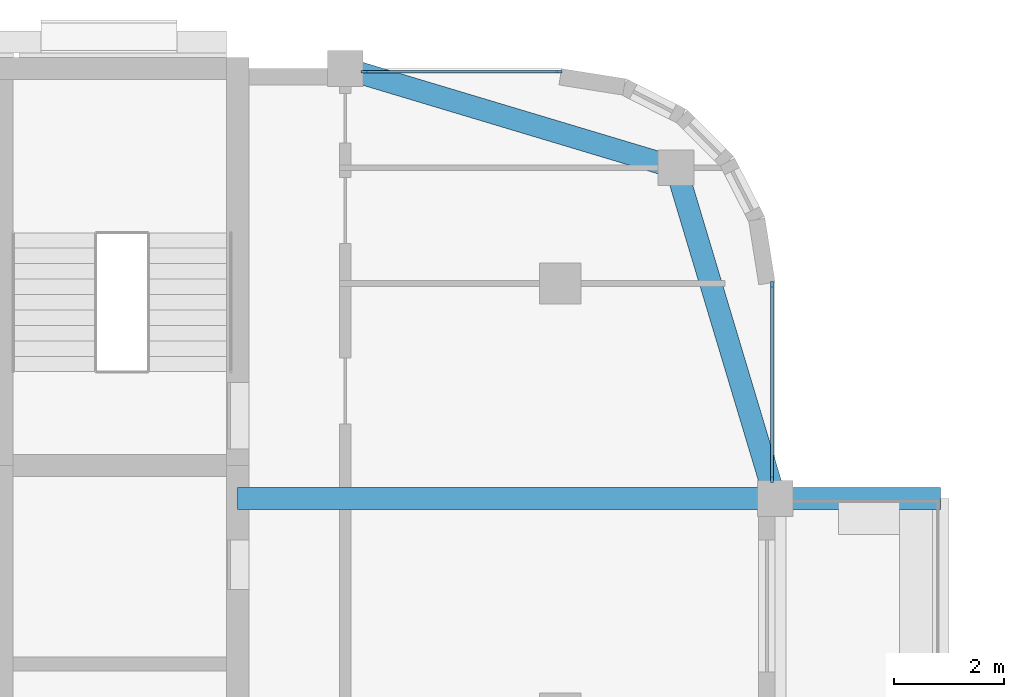
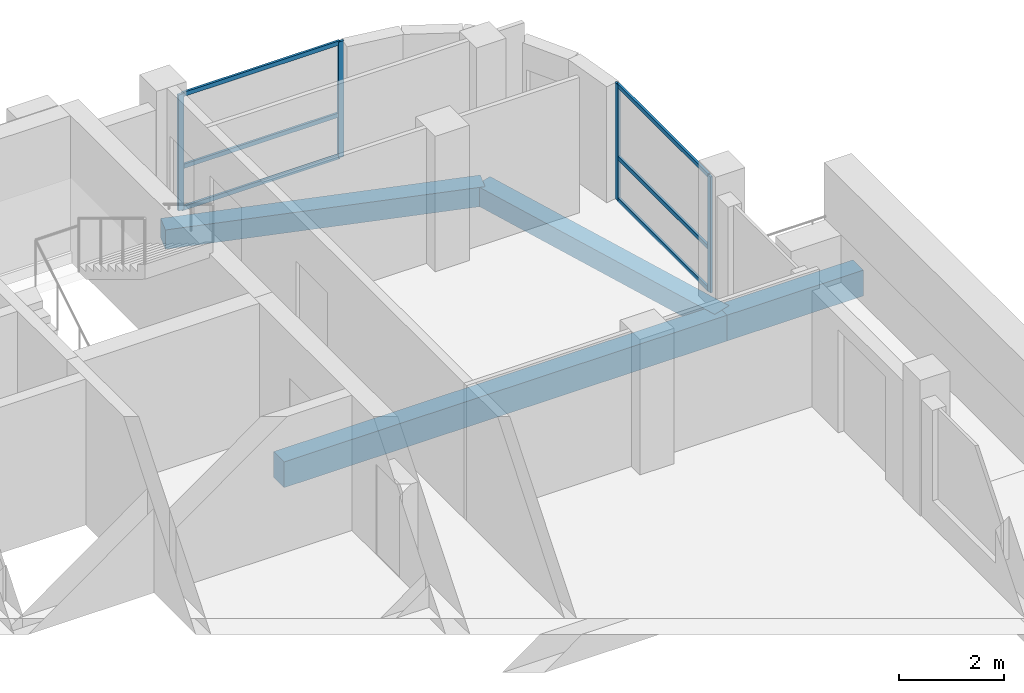
# One storey, part 8 of 19: 10 members, 4 beams, 2 elements without a shape of their own.
"""IFC4 building model written with IfcOpenShell, lengths in metres."""

import ifcopenshell
import ifcopenshell.guid

model = None  # the IFC model being written
_history = None  # IfcOwnerHistory: only IFC2X3 demands one
_inside = {}  # id of a spatial element -> (the spatial element, [elements in it])
_under = {}  # id of a project, library or spatial element -> (it, [spatial elements below it])
_declared = {}  # id of a project -> (the project, [libraries it declares])
_typed = {}  # id of a type object -> (the type object, [elements of that type])
_made_of = {}  # id of a material, layer set ... -> (it, [elements and type objects made of it])


def new_model(schema):
    """Start an empty IFC model of exactly this schema.

    Asked for "IFC4X3", IfcOpenShell would pick the latest addendum, in which some entities
    have other attributes; the version numbers below select the first issue.
    IFC2X3 requires an IfcOwnerHistory on every rooted entity: one is made here for all.
    """
    global model, _history
    if schema == "IFC4X3":
        model = ifcopenshell.file(schema_version=(4, 3, 0, 0))
    else:
        model = ifcopenshell.file(schema=schema)
    _inside.clear()
    _under.clear()
    _declared.clear()
    _typed.clear()
    _made_of.clear()
    _history = None
    if model.schema == "IFC2X3":
        org = make("IfcOrganization", Name="unknown")
        user = make(
            "IfcPersonAndOrganization",
            ThePerson=make("IfcPerson", FamilyName="unknown"),
            TheOrganization=org,
        )
        app = make(
            "IfcApplication",
            ApplicationDeveloper=org,
            Version="unknown",
            ApplicationFullName="unknown",
            ApplicationIdentifier="unknown",
        )
        _history = make(
            "IfcOwnerHistory",
            OwningUser=user,
            OwningApplication=app,
            ChangeAction="ADDED",
            CreationDate=0,
        )
    return model


def make(cls, **values):
    """One entity of the class cls with the attributes given. An attribute that is None is left unset."""
    return model.create_entity(
        cls, **{name: value for name, value in values.items() if value is not None}
    )


def rooted(cls, **values):
    """An entity with a GlobalId (a new one), such as an element, a storey or a relation."""
    return make(cls, GlobalId=ifcopenshell.guid.new(), OwnerHistory=_history, **values)


def si_unit(unit_type, name, prefix=None):
    """IfcSIUnit, for example si_unit("LENGTHUNIT", "METRE", prefix="MILLI")."""
    return make("IfcSIUnit", UnitType=unit_type, Prefix=prefix, Name=name)


def assignment(units):
    """IfcUnitAssignment: the units of a project."""
    return None if units is None else make("IfcUnitAssignment", Units=units)


def point(xyz):
    """IfcCartesianPoint."""
    return None if xyz is None else make("IfcCartesianPoint", Coordinates=xyz)


def direction(xyz):
    """IfcDirection."""
    return None if xyz is None else make("IfcDirection", DirectionRatios=xyz)


def frame(location, z_axis=None, x_axis=None):
    """IfcAxis2Placement3D, a coordinate frame: its origin and axes. An axis left out is left unset."""
    return make(
        "IfcAxis2Placement3D",
        Location=point(location),
        Axis=direction(z_axis),
        RefDirection=direction(x_axis),
    )


def frame_2d(location, x_axis=None):
    """IfcAxis2Placement2D, a coordinate frame in the plane: its origin and x axis."""
    return make(
        "IfcAxis2Placement2D", Location=point(location), RefDirection=direction(x_axis)
    )


def origin():
    """The frame at (0, 0, 0) with its axes left unset."""
    return frame((0.0, 0.0, 0.0))


def origin_2d():
    """The frame at (0, 0) in the plane with its x axis left unset."""
    return frame_2d((0.0, 0.0))


def place(relative_to, where):
    """IfcLocalPlacement: puts the frame where relative to a parent placement (None: the world)."""
    return make(
        "IfcLocalPlacement", PlacementRelTo=relative_to, RelativePlacement=where
    )


def context(
    kind, dimensions, precision=None, world=None, true_north=None, identifier=None
):
    """IfcGeometricRepresentationContext, for example the 3D "Model" context."""
    return make(
        "IfcGeometricRepresentationContext",
        ContextIdentifier=identifier,
        ContextType=kind,
        CoordinateSpaceDimension=dimensions,
        Precision=precision,
        WorldCoordinateSystem=world,
        TrueNorth=true_north,
    )


def subcontext(parent, identifier, kind, view, scale=None):
    """IfcGeometricRepresentationSubContext, for example "Body" below "Model"."""
    return make(
        "IfcGeometricRepresentationSubContext",
        ContextIdentifier=identifier,
        ContextType=kind,
        ParentContext=parent,
        TargetScale=scale,
        TargetView=view,
    )


def project(units=None, contexts=None):
    """IfcProject with its units and contexts."""
    return rooted(
        "IfcProject",
        Name="project",
        RepresentationContexts=contexts,
        UnitsInContext=assignment(units),
    )


def spatial(cls, under=None, at=None, **own):
    """A site, building, storey or space (cls), placed at a placement, below another one or the project."""
    s = rooted(cls, ObjectPlacement=at, **own)
    if under is not None:
        _under.setdefault(under.id(), (under, []))[1].append(s)
    return s


def profile(cls, at=None, kind="AREA", **sizes):
    """A parametric profile (cls). Its sizes go by their IFC names, for example OverallWidth=200.0."""
    return make(cls, ProfileType=kind, Position=at, **sizes)


def rectangle(**sizes):
    """IfcRectangleProfileDef."""
    return profile("IfcRectangleProfileDef", **sizes)


def extrude(swept, where, along, depth):
    """IfcExtrudedAreaSolid: the profile swept, set in the frame where, extruded along a direction by depth."""
    return make(
        "IfcExtrudedAreaSolid",
        SweptArea=swept,
        Position=where,
        ExtrudedDirection=direction(along),
        Depth=depth,
    )


def shape(context_of_items, identifier, shape_type, items):
    """IfcShapeRepresentation: the items that make up one representation, for example the "Body"."""
    return make(
        "IfcShapeRepresentation",
        ContextOfItems=context_of_items,
        RepresentationIdentifier=identifier,
        RepresentationType=shape_type,
        Items=items,
    )


def material(Name=None, Category=None):
    """IfcMaterial."""
    return make("IfcMaterial", Name=Name, Category=Category)


def material_profile(
    of_material, cross_section, Name=None, Category=None, Priority=None
):
    """IfcMaterialProfile: a cross section and its material."""
    return make(
        "IfcMaterialProfile",
        Name=Name,
        Material=of_material,
        Profile=cross_section,
        Priority=Priority,
        Category=Category,
    )


def profile_set(profiles, Name=None, composite=None):
    """IfcMaterialProfileSet."""
    return make(
        "IfcMaterialProfileSet",
        Name=Name,
        MaterialProfiles=profiles,
        CompositeProfile=composite,
    )


def made_of(thing, what):
    """Note that an element or type object is made of a material, layer set ...; save() writes the relation."""
    if what is not None:
        _made_of.setdefault(what.id(), (what, []))[1].append(thing)
    return thing


def type_object(cls, material=None, **own):
    """A type object (cls), such as IfcWallType, which elements share."""
    return made_of(rooted(cls, **own), material)


def element(
    cls,
    number,
    at=None,
    inside=None,
    cuts=None,
    type_object=None,
    material=None,
    context=None,
    identifier="Body",
    shape_type=None,
    held_by="IfcProductDefinitionShape",
    body=None,
    shapes=None,
    **own,
):
    """One element of the class cls, such as IfcWall. Its Tag is "e" and its number.

    at: its placement. inside: the storey or other place that contains it. cuts: it is an
    opening in that element (IfcRelVoidsElement). A single representation is given by context,
    identifier, shape_type and body (its items); several are given by shapes. held_by: the class
    of the entity that holds the representations. save() writes the other relations.
    """
    e = rooted(cls, Tag="e%d" % number, ObjectPlacement=at, **own)
    if body is not None:
        shapes = [shape(context, identifier, shape_type, body)]
    if shapes is not None:
        e.Representation = make(held_by, Representations=shapes)
    if inside is not None:
        _inside.setdefault(inside.id(), (inside, []))[1].append(e)
    if cuts is not None:
        rooted(
            "IfcRelVoidsElement", RelatingBuildingElement=cuts, RelatedOpeningElement=e
        )
    if type_object is not None:
        _typed.setdefault(type_object.id(), (type_object, []))[1].append(e)
    return made_of(e, material)


def aggregate(whole, parts):
    """IfcRelAggregates: a whole, such as a stair, and the parts it consists of."""
    return rooted("IfcRelAggregates", RelatingObject=whole, RelatedObjects=parts)


def save(model, path):
    """Write the relations noted so far, then the file.

    IfcRelAggregates (storeys below a building ...), IfcRelContainedInSpatialStructure (elements
    in a storey), IfcRelDefinesByType, IfcRelAssociatesMaterial and IfcRelDeclares: one each for
    every whole, place, type object, material and project.
    """
    for whole, parts in _under.values():
        aggregate(whole, parts)
    for where, things in _inside.values():
        rooted(
            "IfcRelContainedInSpatialStructure",
            RelatedElements=things,
            RelatingStructure=where,
        )
    for kind, things in _typed.values():
        rooted("IfcRelDefinesByType", RelatedObjects=things, RelatingType=kind)
    for what, things in _made_of.values():
        rooted("IfcRelAssociatesMaterial", RelatedObjects=things, RelatingMaterial=what)
    for by, libraries in _declared.values():
        rooted("IfcRelDeclares", RelatingContext=by, RelatedDefinitions=libraries)
    model.write(path)


model = new_model("IFC4")

# Units and contexts
model_context = context("Model", 3, precision=1e-05, world=origin(), true_north=direction((0.0, 1.0)))
body_context = subcontext(model_context, "Body", "Model", "MODEL_VIEW")
ifc_project = project(units=[si_unit("LENGTHUNIT", "METRE"), si_unit("AREAUNIT", "SQUARE_METRE"), si_unit("VOLUMEUNIT", "CUBIC_METRE"), si_unit("PLANEANGLEUNIT", "RADIAN"), si_unit("MASSUNIT", "GRAM", prefix="KILO")], contexts=[model_context])

# Site, building, storey
site_placement = place(None, origin())
site = spatial("IfcSite", under=ifc_project, at=site_placement, CompositionType="ELEMENT")
building_placement = place(site_placement, origin())
building = spatial("IfcBuilding", under=site, at=building_placement, Name="Ludao Terraces", CompositionType="ELEMENT")
storey_placement = place(building_placement, frame((0.0, 0.0, 256.199951171875)))
storey = spatial("IfcBuildingStorey", under=building, at=storey_placement, Name="L70", CompositionType="ELEMENT", Elevation=256.199951171875)

# Curtain wall, members
ifc_material_1 = material(Name="Aluminium curtain wall with fritted glass", Category="aluminium")
curtain_wall_type = type_object("IfcCurtainWallType", Name="ENV CW3 community glazing", PredefinedType="NOTDEFINED", material=ifc_material_1)
curtain_wall_1_placement = place(storey_placement, origin())
curtain_wall_1 = element("IfcCurtainWall", 1, at=curtain_wall_1_placement, inside=storey, type_object=curtain_wall_type, Name="Community floor glazing L70 E5", PredefinedType="NOTDEFINED")
ifc_material_2 = material(Name="Aluminium 6063-T6", Category="aluminium")
ifc_material_profile_1 = material_profile(ifc_material_2, rectangle(XDim=0.050048828125, YDim=0.1201171875, at=origin_2d()), Name="50 X 120")
ifc_profile_set_1 = profile_set([ifc_material_profile_1], Name="Aluminium 6063-T6")
member_type_1 = type_object("IfcMemberType", Name="ENV CW3 mullion 50x120", PredefinedType="MULLION", material=ifc_profile_set_1)
member_1_placement = place(storey_placement, frame((104.43994140625, 77.050048828125, 0.0), z_axis=(0.0, 0.0, 1.0), x_axis=(-1.0, 0.0, 0.0)))
member_1 = element("IfcMember", 2, at=member_1_placement, type_object=member_type_1, Name="CW3 mullion 1", PredefinedType="MULLION", context=body_context, shape_type="SweptSolid", body=[
    extrude(rectangle(XDim=0.050048828125, YDim=0.1201171875, at=origin_2d()), origin(), (0.0, 0.0, 1.0), 2.699951171875),
])
member_2_placement = place(storey_placement, frame((104.43994140625, 80.574951171875, 0.0), z_axis=(0.0, 0.0, 1.0), x_axis=(-1.0, 0.0, 0.0)))
member_2 = element("IfcMember", 3, at=member_2_placement, type_object=member_type_1, Name="CW3 mullion 2", PredefinedType="MULLION", context=body_context, shape_type="SweptSolid", body=[
    extrude(rectangle(XDim=0.050048828125, YDim=0.1201171875, at=origin_2d()), origin(), (0.0, 0.0, 1.0), 2.699951171875),
])

curtain_wall_2_placement = place(storey_placement, origin())
curtain_wall_2 = element("IfcCurtainWall", 4, at=curtain_wall_2_placement, inside=storey, type_object=curtain_wall_type, Name="Community floor glazing L70 N4", PredefinedType="NOTDEFINED")
member_3_placement = place(storey_placement, frame((97.050048828125, 84.43994140625, 0.0), z_axis=(0.0, 0.0, 1.0), x_axis=(0.0, 1.0, 0.0)))
member_3 = element("IfcMember", 5, at=member_3_placement, type_object=member_type_1, Name="CW3 mullion 1", PredefinedType="MULLION", context=body_context, shape_type="SweptSolid", body=[
    extrude(rectangle(XDim=0.050048828125, YDim=0.1201171875, at=origin_2d()), origin(), (0.0, 0.0, 1.0), 2.699951171875),
])
member_4_placement = place(storey_placement, frame((100.574951171875, 84.43994140625, 0.0), z_axis=(0.0, 0.0, 1.0), x_axis=(0.0, 1.0, 0.0)))
member_4 = element("IfcMember", 6, at=member_4_placement, type_object=member_type_1, Name="CW3 mullion 2", PredefinedType="MULLION", context=body_context, shape_type="SweptSolid", body=[
    extrude(rectangle(XDim=0.050048828125, YDim=0.1201171875, at=origin_2d()), origin(), (0.0, 0.0, 1.0), 2.699951171875),
])

# Member
ifc_material_profile_2 = material_profile(ifc_material_2, rectangle(XDim=0.050048828125, YDim=0.10009765625, at=origin_2d()), Name="50 X 100")
ifc_profile_set_2 = profile_set([ifc_material_profile_2], Name="Aluminium 6063-T6")
member_type_2 = type_object("IfcMemberType", Name="ENV CW3 transom 50x100", PredefinedType="USERDEFINED", material=ifc_profile_set_2)
member_5_placement = place(storey_placement, frame((104.43994140625, 77.074951171875, 0.025146484375), z_axis=(0.0, 1.0, 0.0), x_axis=(-1.0, 0.0, 0.0)))
member_5 = element("IfcMember", 7, at=member_5_placement, type_object=member_type_2, Name="CW3 transom 1.1", ObjectType="TRANSOM", PredefinedType="USERDEFINED", context=body_context, shape_type="SweptSolid", body=[
    extrude(rectangle(XDim=0.050048828125, YDim=0.10009765625, at=origin_2d()), origin(), (0.0, 0.0, 1.0), 3.47509765625),
])

member_6_placement = place(storey_placement, frame((104.43994140625, 77.074951171875, 1.0), z_axis=(0.0, 1.0, 0.0), x_axis=(-1.0, 0.0, 0.0)))
member_6 = element("IfcMember", 8, at=member_6_placement, type_object=member_type_2, Name="CW3 transom 1.2", ObjectType="TRANSOM", PredefinedType="USERDEFINED", context=body_context, shape_type="SweptSolid", body=[
    extrude(rectangle(XDim=0.050048828125, YDim=0.10009765625, at=origin_2d()), origin(), (0.0, 0.0, 1.0), 3.47509765625),
])

member_7_placement = place(storey_placement, frame((104.43994140625, 77.074951171875, 2.675048828125), z_axis=(0.0, 1.0, 0.0), x_axis=(-1.0, 0.0, 0.0)))
member_7 = element("IfcMember", 9, at=member_7_placement, type_object=member_type_2, Name="CW3 transom 1.3", ObjectType="TRANSOM", PredefinedType="USERDEFINED", context=body_context, shape_type="SweptSolid", body=[
    extrude(rectangle(XDim=0.050048828125, YDim=0.10009765625, at=origin_2d()), origin(), (0.0, 0.0, 1.0), 3.47509765625),
])

aggregate(curtain_wall_1, [member_1, member_2, member_5, member_6, member_7])

member_8_placement = place(storey_placement, frame((97.074951171875, 84.43994140625, 0.025146484375), z_axis=(1.0, 0.0, 0.0), x_axis=(0.0, 1.0, 0.0)))
member_8 = element("IfcMember", 10, at=member_8_placement, type_object=member_type_2, Name="CW3 transom 1.1", ObjectType="TRANSOM", PredefinedType="USERDEFINED", context=body_context, shape_type="SweptSolid", body=[
    extrude(rectangle(XDim=0.050048828125, YDim=0.10009765625, at=origin_2d()), origin(), (0.0, 0.0, 1.0), 3.47509765625),
])

member_9_placement = place(storey_placement, frame((97.074951171875, 84.43994140625, 1.0), z_axis=(1.0, 0.0, 0.0), x_axis=(0.0, 1.0, 0.0)))
member_9 = element("IfcMember", 11, at=member_9_placement, type_object=member_type_2, Name="CW3 transom 1.2", ObjectType="TRANSOM", PredefinedType="USERDEFINED", context=body_context, shape_type="SweptSolid", body=[
    extrude(rectangle(XDim=0.050048828125, YDim=0.10009765625, at=origin_2d()), origin(), (0.0, 0.0, 1.0), 3.47509765625),
])

member_10_placement = place(storey_placement, frame((97.074951171875, 84.43994140625, 2.675048828125), z_axis=(1.0, 0.0, 0.0), x_axis=(0.0, 1.0, 0.0)))
member_10 = element("IfcMember", 12, at=member_10_placement, type_object=member_type_2, Name="CW3 transom 1.3", ObjectType="TRANSOM", PredefinedType="USERDEFINED", context=body_context, shape_type="SweptSolid", body=[
    extrude(rectangle(XDim=0.050048828125, YDim=0.10009765625, at=origin_2d()), origin(), (0.0, 0.0, 1.0), 3.47509765625),
])

aggregate(curtain_wall_2, [member_3, member_4, member_8, member_9, member_10])

# Beams
ifc_material_3 = material(Name="Concrete C40", Category="concrete")
ifc_material_profile_3 = material_profile(ifc_material_3, rectangle(XDim=0.39990234375, YDim=0.449951171875, at=origin_2d()), Name="400 X 450")
ifc_profile_set_3 = profile_set([ifc_material_profile_3], Name="Concrete C40")
beam_type_1 = type_object("IfcBeamType", Name="RC beam 400x450 C40", PredefinedType="BEAM", material=ifc_profile_set_3)
for number, where, z_axis, x_axis, name in (
    (13, (96.699951171875, 84.5, -0.474853515625), (0.957824139839, -0.287355036744, 0.0), (0.287355036744, 0.957824139839, 0.0), "Spandrel beam L70 N7"),
    (14, (104.5, 76.699951171875, -0.474853515625), (-0.287355036744, 0.957824139839, 0.0), (-0.957824139839, -0.287355036744, 0.0), "Spandrel beam L70 E17"),
):
    element("IfcBeam", number, at=place(storey_placement, frame(where, z_axis=z_axis, x_axis=x_axis)), inside=storey, type_object=beam_type_1, Name=name, PredefinedType="BEAM", context=body_context, shape_type="SweptSolid", body=[
        extrude(rectangle(XDim=0.39990234375, YDim=0.449951171875, at=origin_2d()), origin(), (0.0, 0.0, 1.0), 6.26416015625),
    ])
ifc_material_profile_4 = material_profile(ifc_material_3, rectangle(XDim=0.39990234375, YDim=0.60009765625, at=origin_2d()), Name="400 X 600")
ifc_profile_set_4 = profile_set([ifc_material_profile_4], Name="Concrete C40")
beam_type_2 = type_object("IfcBeamType", Name="RC beam 400x600 C40", PredefinedType="BEAM", material=ifc_profile_set_4)
beam_1_placement = place(storey_placement, frame((94.75, 76.699951171875, -0.550048828125), z_axis=(1.0, 0.0, 0.0), x_axis=(0.0, 1.0, 0.0)))
element("IfcBeam", 15, at=beam_1_placement, inside=storey, type_object=beam_type_2, Name="Balcony beam L70 E767", PredefinedType="BEAM", context=body_context, shape_type="SweptSolid", body=[
    extrude(rectangle(XDim=0.39990234375, YDim=0.60009765625, at=origin_2d()), origin(), (0.0, 0.0, 1.0), 9.75),
])
beam_2_placement = place(storey_placement, frame((104.5, 76.699951171875, -0.550048828125), z_axis=(1.0, 0.0, 0.0), x_axis=(0.0, 1.0, 0.0)))
element("IfcBeam", 16, at=beam_2_placement, inside=storey, type_object=beam_type_2, Name="Balcony beam L70 E767", PredefinedType="BEAM", context=body_context, shape_type="SweptSolid", body=[
    extrude(rectangle(XDim=0.39990234375, YDim=0.60009765625, at=origin_2d()), origin(), (0.0, 0.0, 1.0), 3.0),
])

save(model, "model.ifc")
